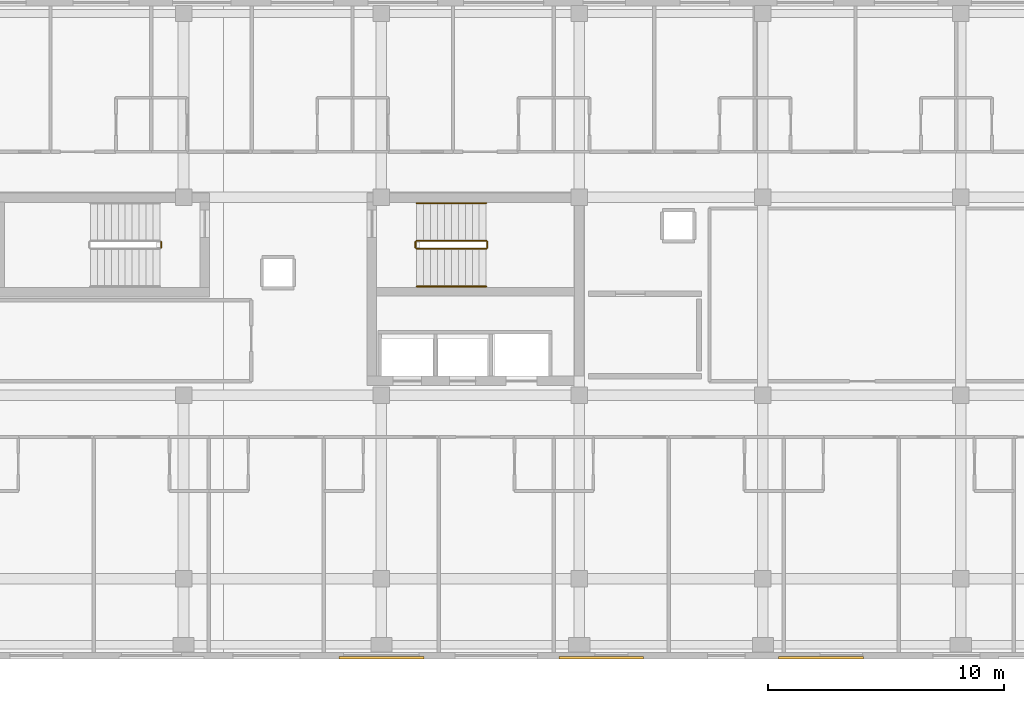
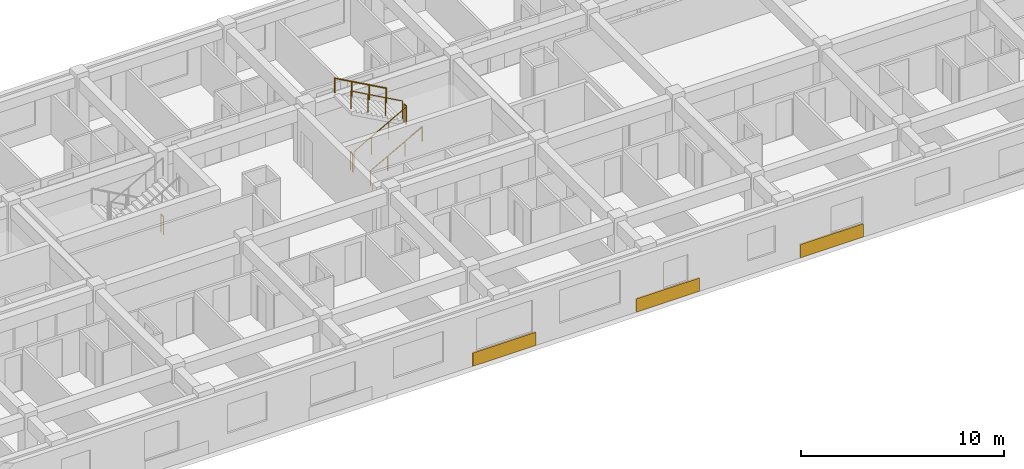
# One storey, part 143 of 144: 7 railings, 3 coverings.
"""IFC4 building model written with IfcOpenShell, lengths in metres."""

from ifc_helpers import new_model, si_unit, direction, frame, origin, origin_2d, place, context, subcontext, project, spatial, rectangle, circle, extrude, material, layer, layer_set, type_object, element, save


model = new_model("IFC4")

# Units and contexts
model_context = context("Model", 3, precision=1e-05, world=origin(), true_north=direction((0.0, 1.0)))
body_context = subcontext(model_context, "Body", "Model", "MODEL_VIEW")
ifc_project = project(units=[si_unit("LENGTHUNIT", "METRE"), si_unit("AREAUNIT", "SQUARE_METRE"), si_unit("VOLUMEUNIT", "CUBIC_METRE"), si_unit("PLANEANGLEUNIT", "RADIAN"), si_unit("MASSUNIT", "GRAM", prefix="KILO")], contexts=[model_context])

# Site, building, storey
site_placement = place(None, origin())
site = spatial("IfcSite", under=ifc_project, at=site_placement, CompositionType="ELEMENT")
building_placement = place(site_placement, origin())
building = spatial("IfcBuilding", under=site, at=building_placement, Name="Zayran Congress Hotel", CompositionType="ELEMENT")
storey_placement = place(building_placement, frame((0.0, 0.0, 19.199951171875)))
storey = spatial("IfcBuildingStorey", under=building, at=storey_placement, Name="L04", CompositionType="ELEMENT", Elevation=19.199951171875)

# Coverings
ifc_material_1 = material(Name="Ochre geometric bas-relief Hajar Ma'ani stone", Category="masonry")
ifc_layer = layer(ifc_material_1, 0.090087890625)
ifc_layer_set = layer_set([ifc_layer], Name="Ochre geometric bas-relief Hajar Ma'ani stone")
covering_type = type_object("IfcCoveringType", Name="TP-CLD-01", PredefinedType="CLADDING", material=ifc_layer_set)
for number, where, z_axis, x_axis, name in (
    (1, (50.39990234375, 6.044921875, 0.0), (0.0, 0.0, 1.0), (1.0, 0.0, 0.0), "CLD-V5S-L04-4"),
    (2, (59.73291015625, 6.044921875, 0.0), (0.0, 0.0, 1.0), (1.0, 0.0, 0.0), "CLD-V5S-L04-5"),
    (3, (69.06689453125, 6.044921875, 0.0), (0.0, 0.0, 1.0), (1.0, 0.0, 0.0), "CLD-V5S-L04-6"),
):
    element("IfcCovering", number, at=place(storey_placement, frame(where, z_axis=z_axis, x_axis=x_axis)), inside=storey, type_object=covering_type, Name=name, PredefinedType="CLADDING", context=body_context, shape_type="SweptSolid", body=[
        extrude(rectangle(XDim=3.60009765625, YDim=0.090087890625, at=origin_2d()), origin(), (0.0, 0.0, 1.0), 0.800048828125),
    ])

# Railings
ifc_material_2 = material(Name="Painted steel balustrade", Category="steel")
railing_type_1 = type_object("IfcRailingType", Name="TP-GRD-INT", PredefinedType="GUARDRAIL", material=ifc_material_2)
railing_1_placement = place(storey_placement, frame((51.89990234375, 23.409912109375, 0.16357421875)))
element("IfcRailing", 4, at=railing_1_placement, inside=storey, type_object=railing_type_1, Name="L04 ST-02 stair guard 1", PredefinedType="GUARDRAIL", context=body_context, shape_type="SweptSolid", body=[
    extrude(circle(Radius=0.02392578125, at=origin_2d()), frame((0.0, 0.0, 1.076171875), z_axis=(0.87447454536, 0.0, 0.485071406616), x_axis=(0.0, 1.0, 0.0)), (0.0, 0.0, 1.0), 3.373779296875),
    extrude(circle(Radius=0.02099609375, at=origin_2d()), origin(), (0.0, 0.0, 1.0), 1.052001953125),
    extrude(circle(Radius=0.02099609375, at=origin_2d()), frame((0.9833984375, 0.0, 0.54541015625)), (0.0, 0.0, 1.0), 1.052001953125),
    extrude(circle(Radius=0.02099609375, at=origin_2d()), frame((1.966796875, 0.0, 1.091064453125)), (0.0, 0.0, 1.0), 1.052001953125),
    extrude(circle(Radius=0.02099609375, at=origin_2d()), frame((2.9501953125, 0.0, 1.636474609375)), (0.0, 0.0, 1.0), 1.052001953125),
])
railing_2_placement = place(storey_placement, frame((54.89990234375, 23.4599609375, 1.800048828125)))
element("IfcRailing", 5, at=railing_2_placement, inside=storey, type_object=railing_type_1, Name="L04 ST-02 stair guard 2", PredefinedType="GUARDRAIL", context=body_context, shape_type="SweptSolid", body=[
    extrude(circle(Radius=0.02392578125, at=origin_2d()), frame((0.0, 0.0, 1.076171875), z_axis=(0.0, 1.0, 0.0), x_axis=(-1.0, 0.0, 0.0)), (0.0, 0.0, 1.0), 0.239990234375),
    extrude(circle(Radius=0.02099609375, at=origin_2d()), origin(), (0.0, 0.0, 1.0), 1.052001953125),
    extrude(circle(Radius=0.02099609375, at=origin_2d()), frame((0.0, 0.239990234375, 0.0)), (0.0, 0.0, 1.0), 1.052001953125),
])
railing_3_placement = place(storey_placement, frame((54.85009765625, 23.75, 1.963623046875)))
element("IfcRailing", 6, at=railing_3_placement, inside=storey, type_object=railing_type_1, Name="L04 ST-02 stair guard 3", PredefinedType="GUARDRAIL", context=body_context, shape_type="SweptSolid", body=[
    extrude(circle(Radius=0.02392578125, at=origin_2d()), frame((0.0, 0.0, 1.076171875), z_axis=(-0.87447454536, 0.0, 0.485071406616), x_axis=(0.0, -1.0, 0.0)), (0.0, 0.0, 1.0), 3.373779296875),
    extrude(circle(Radius=0.02099609375, at=origin_2d()), origin(), (0.0, 0.0, 1.0), 1.052001953125),
    extrude(circle(Radius=0.02099609375, at=origin_2d()), frame((-0.9833984375, 0.0, 0.54541015625)), (0.0, 0.0, 1.0), 1.052001953125),
    extrude(circle(Radius=0.02099609375, at=origin_2d()), frame((-1.966796875, 0.0, 1.091064453125)), (0.0, 0.0, 1.0), 1.052001953125),
    extrude(circle(Radius=0.02099609375, at=origin_2d()), frame((-2.9501953125, 0.0, 1.636474609375)), (0.0, 0.0, 1.0), 1.052001953125),
])
railing_4_placement = place(storey_placement, frame((51.85009765625, 23.4599609375, 0.0)))
element("IfcRailing", 7, at=railing_4_placement, inside=storey, type_object=railing_type_1, Name="L04 ST-02 stair guard 4", PredefinedType="GUARDRAIL", context=body_context, shape_type="SweptSolid", body=[
    extrude(circle(Radius=0.02392578125, at=origin_2d()), frame((0.0, 0.0, 1.076171875), z_axis=(0.0, 1.0, 0.0), x_axis=(-1.0, 0.0, 0.0)), (0.0, 0.0, 1.0), 0.239990234375),
    extrude(circle(Radius=0.02099609375, at=origin_2d()), origin(), (0.0, 0.0, 1.0), 1.052001953125),
    extrude(circle(Radius=0.02099609375, at=origin_2d()), frame((0.0, 0.239990234375, 0.0)), (0.0, 0.0, 1.0), 1.052001953125),
])
railing_5_placement = place(storey_placement, frame((41.050048828125, 23.699951171875, 0.0)))
element("IfcRailing", 8, at=railing_5_placement, inside=storey, type_object=railing_type_1, Name="L04 ST-13 stair guard 4", PredefinedType="GUARDRAIL", context=body_context, shape_type="SweptSolid", body=[
    extrude(circle(Radius=0.02392578125, at=origin_2d()), frame((0.0, 0.0, 1.076171875), z_axis=(0.0, -1.0, 0.0), x_axis=(1.0, 0.0, 0.0)), (0.0, 0.0, 1.0), 0.239990234375),
    extrude(circle(Radius=0.02099609375, at=origin_2d()), origin(), (0.0, 0.0, 1.0), 1.052001953125),
    extrude(circle(Radius=0.02099609375, at=origin_2d()), frame((0.0, -0.239990234375, 0.0)), (0.0, 0.0, 1.0), 1.052001953125),
])
ifc_material_3 = material(Name="Brushed stainless steel handrail", Category="steel")
railing_type_2 = type_object("IfcRailingType", Name="TP-HND-STR", PredefinedType="HANDRAIL", material=ifc_material_3)
railing_6_placement = place(storey_placement, frame((51.89990234375, 21.81005859375, 0.16357421875)))
element("IfcRailing", 9, at=railing_6_placement, inside=storey, type_object=railing_type_2, Name="L04 ST-02 stair handrail 1", PredefinedType="HANDRAIL", context=body_context, shape_type="SweptSolid", body=[
    extrude(circle(Radius=0.02392578125, at=origin_2d()), frame((0.0, 0.0, 0.8759765625), z_axis=(0.87447454536, 0.0, 0.485071406616), x_axis=(0.0, 1.0, 0.0)), (0.0, 0.0, 1.0), 3.373779296875),
    extrude(circle(Radius=0.02099609375, at=origin_2d()), origin(), (0.0, 0.0, 1.0), 0.851806640625),
    extrude(circle(Radius=0.02099609375, at=origin_2d()), frame((0.9833984375, 0.0, 0.54541015625)), (0.0, 0.0, 1.0), 0.851806640625),
    extrude(circle(Radius=0.02099609375, at=origin_2d()), frame((1.966796875, 0.0, 1.091064453125)), (0.0, 0.0, 1.0), 0.851806640625),
    extrude(circle(Radius=0.02099609375, at=origin_2d()), frame((2.9501953125, 0.0, 1.636474609375)), (0.0, 0.0, 1.0), 0.851806640625),
])
railing_7_placement = place(storey_placement, frame((54.85009765625, 25.35009765625, 1.963623046875)))
element("IfcRailing", 10, at=railing_7_placement, inside=storey, type_object=railing_type_2, Name="L04 ST-02 stair handrail 2", PredefinedType="HANDRAIL", context=body_context, shape_type="SweptSolid", body=[
    extrude(circle(Radius=0.02392578125, at=origin_2d()), frame((0.0, 0.0, 0.8759765625), z_axis=(-0.87447454536, 0.0, 0.485071406616), x_axis=(0.0, -1.0, 0.0)), (0.0, 0.0, 1.0), 3.373779296875),
    extrude(circle(Radius=0.02099609375, at=origin_2d()), origin(), (0.0, 0.0, 1.0), 0.851806640625),
    extrude(circle(Radius=0.02099609375, at=origin_2d()), frame((-0.9833984375, 0.0, 0.54541015625)), (0.0, 0.0, 1.0), 0.851806640625),
    extrude(circle(Radius=0.02099609375, at=origin_2d()), frame((-1.966796875, 0.0, 1.091064453125)), (0.0, 0.0, 1.0), 0.851806640625),
    extrude(circle(Radius=0.02099609375, at=origin_2d()), frame((-2.9501953125, 0.0, 1.636474609375)), (0.0, 0.0, 1.0), 0.851806640625),
])

save(model, "model.ifc")
